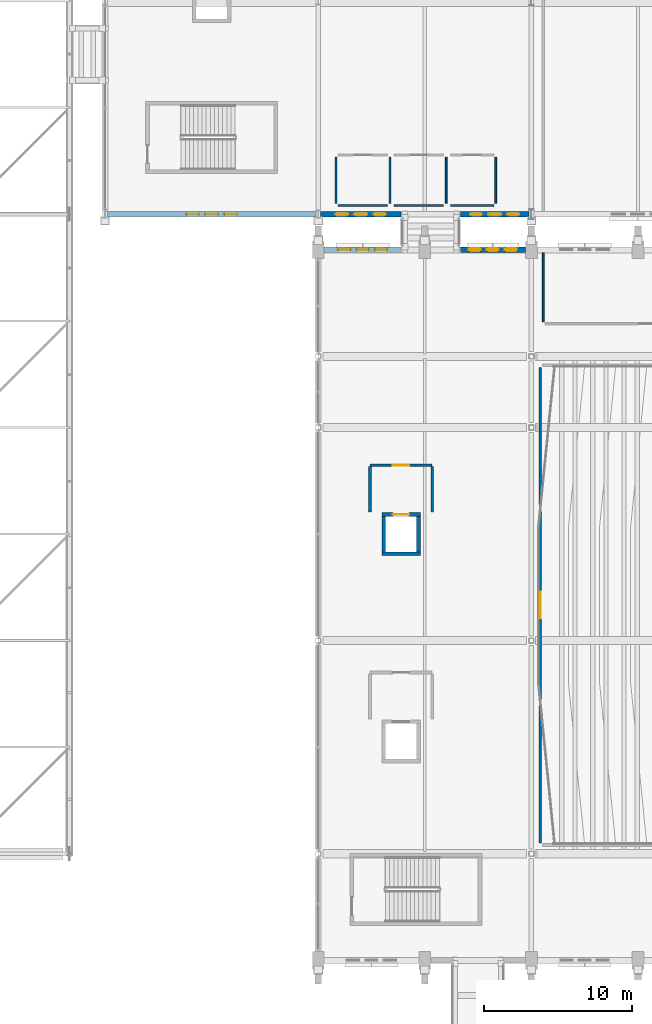
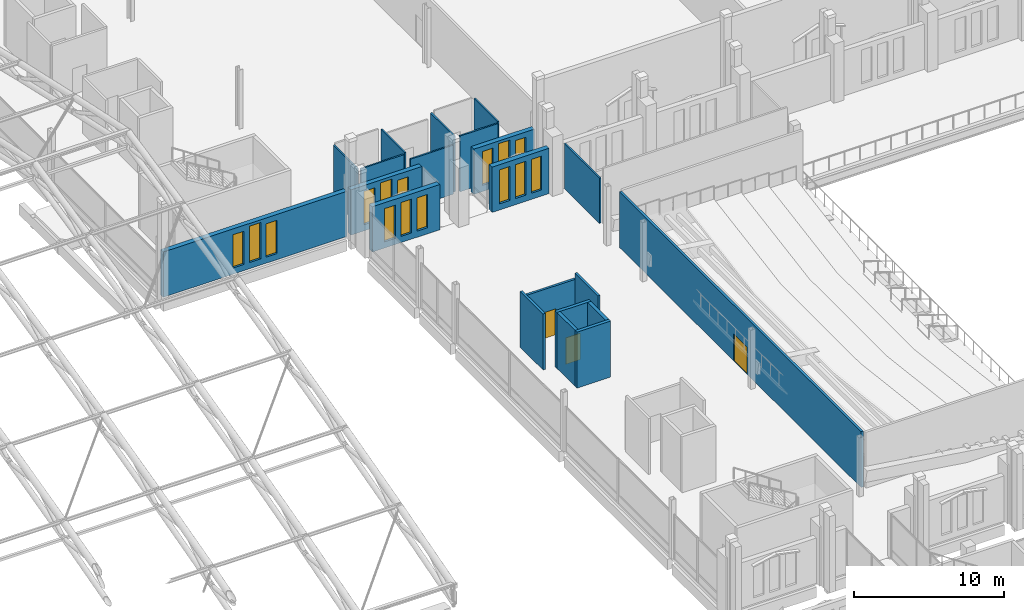
# One storey, part 147 of 193: 21 walls, 15 windows, 3 doors, 18 openings.
"""IFC4 building model written with IfcOpenShell, lengths in metres."""

from ifc_helpers import new_model, si_unit, direction, frame, frame_2d, origin, place, context, subcontext, project, spatial, rectangle, extrude, material, layer, layer_set, type_object, element, fill, save


model = new_model("IFC4")

# Units and contexts
model_context = context("Model", 3, precision=1e-05, world=origin(), true_north=direction((0.0, 1.0)))
body_context = subcontext(model_context, "Body", "Model", "MODEL_VIEW")
ifc_project = project(units=[si_unit("LENGTHUNIT", "METRE"), si_unit("AREAUNIT", "SQUARE_METRE"), si_unit("VOLUMEUNIT", "CUBIC_METRE"), si_unit("PLANEANGLEUNIT", "RADIAN"), si_unit("MASSUNIT", "GRAM", prefix="KILO")], contexts=[model_context])

# Site, building, storey
site_placement = place(None, origin())
site = spatial("IfcSite", under=ifc_project, at=site_placement, CompositionType="ELEMENT")
building_placement = place(site_placement, origin())
building = spatial("IfcBuilding", under=site, at=building_placement, Name="Cendralis Lancet Convention Centre", CompositionType="ELEMENT")
storey_placement = place(building_placement, frame((0.0, 0.0, 10.199951171875)))
storey = spatial("IfcBuildingStorey", under=building, at=storey_placement, Name="L02", CompositionType="ELEMENT", Elevation=10.199951171875)

# Wall, openings, windows
ifc_material_1 = material(Name="Buff sandstone ashlar and Concrete G40 (C40/50)", Category="masonry")
ifc_layer_1 = layer(ifc_material_1, 0.360107421875, Name="Buff sandstone ashlar and Concrete G40 (C40/50)")
ifc_layer_set_1 = layer_set([ifc_layer_1], Name="Buff sandstone ashlar and Concrete G40 (C40/50)")
wall_type_1 = type_object("IfcWallType", Name="ARC-EW-W360", PredefinedType="STANDARD", material=ifc_layer_set_1)
wall_1_placement = place(storey_placement, frame((139.0419921875, 93.60009765625, 0.0), z_axis=(0.0, 0.0, 1.0), x_axis=(-1.0, 0.0, 0.0)))
wall_1 = element("IfcWall", 1, at=wall_1_placement, inside=storey, type_object=wall_type_1, Name="L02 V3 Exterior Wall EW-04 #0162", PredefinedType="STANDARD", context=body_context, shape_type="SweptSolid", body=[
    extrude(rectangle(XDim=14.083984375, YDim=0.360107421875, at=frame_2d((7.0419921875, 0.0))), origin(), (0.0, 0.0, 1.0), 3.675048828125),
])
opening_1_placement = place(wall_1_placement, frame((5.342041015625, 0.0, 0.5)))
opening_1 = element("IfcOpeningElement", 2, at=opening_1_placement, cuts=wall_1, Name="Opening WN-15", PredefinedType="OPENING", context=body_context, shape_type="SweptSolid", body=[
    extrude(rectangle(XDim=0.840087890625, YDim=2.699951171875, at=frame_2d((0.419921875, 1.35009765625))), frame((0.0, 0.18994140625, 0.0), z_axis=(0.0, -1.0, 0.0), x_axis=(1.0, 0.0, 0.0)), (0.0, 0.0, 1.0), 0.380126953125),
])
opening_2_placement = place(wall_1_placement, frame((6.60205078125, 0.0, 0.5)))
opening_2 = element("IfcOpeningElement", 3, at=opening_2_placement, cuts=wall_1, Name="Opening WN-08", PredefinedType="OPENING", context=body_context, shape_type="SweptSolid", body=[
    extrude(rectangle(XDim=0.8798828125, YDim=2.949951171875, at=frame_2d((0.43994140625, 1.47509765625))), frame((0.0, 0.18994140625, 0.0), z_axis=(0.0, -1.0, 0.0), x_axis=(1.0, 0.0, 0.0)), (0.0, 0.0, 1.0), 0.380126953125),
])
opening_3_placement = place(wall_1_placement, frame((7.902099609375, 0.0, 0.5)))
opening_3 = element("IfcOpeningElement", 4, at=opening_3_placement, cuts=wall_1, Name="Opening WN-15", PredefinedType="OPENING", context=body_context, shape_type="SweptSolid", body=[
    extrude(rectangle(XDim=0.840087890625, YDim=2.699951171875, at=frame_2d((0.419921875, 1.35009765625))), frame((0.0, 0.18994140625, 0.0), z_axis=(0.0, -1.0, 0.0), x_axis=(1.0, 0.0, 0.0)), (0.0, 0.0, 1.0), 0.380126953125),
])
ifc_material_2 = material(Name="Double-glazed low-E solar-control glass", Category="glass")
window_type_1 = type_object("IfcWindowType", Name="ARC-WN-LW08", PartitioningType="SINGLE_PANEL", PredefinedType="WINDOW", material=ifc_material_2)
window_1_placement = place(opening_2_placement, origin())
window_1 = element("IfcWindow", 5, at=window_1_placement, inside=storey, type_object=window_type_1, Name="Gothic Lancet Window WN-08 #0321", OverallHeight=2.949951171875, OverallWidth=0.8798828125, PartitioningType="SINGLE_PANEL", PredefinedType="WINDOW", context=body_context, shape_type="SweptSolid", body=[
    extrude(rectangle(XDim=0.8798828125, YDim=2.949951171875, at=frame_2d((0.43994140625, 1.47509765625))), frame((0.0, 0.030029296875, 0.0), z_axis=(0.0, -1.0, 0.0), x_axis=(1.0, 0.0, 0.0)), (0.0, 0.0, 1.0), 0.06005859375),
])
fill(opening_2, window_1)
window_type_2 = type_object("IfcWindowType", Name="ARC-WN-LW15", PartitioningType="SINGLE_PANEL", PredefinedType="WINDOW", material=ifc_material_2)
window_2_placement = place(opening_1_placement, origin())
window_2 = element("IfcWindow", 6, at=window_2_placement, inside=storey, type_object=window_type_2, Name="Gothic Lancet Window WN-15 #0320", OverallHeight=2.699951171875, OverallWidth=0.840087890625, PartitioningType="SINGLE_PANEL", PredefinedType="WINDOW", context=body_context, shape_type="SweptSolid", body=[
    extrude(rectangle(XDim=0.840087890625, YDim=2.699951171875, at=frame_2d((0.419921875, 1.35009765625))), frame((0.0, 0.030029296875, 0.0), z_axis=(0.0, -1.0, 0.0), x_axis=(1.0, 0.0, 0.0)), (0.0, 0.0, 1.0), 0.06005859375),
])
fill(opening_1, window_2)
window_3_placement = place(opening_3_placement, origin())
window_3 = element("IfcWindow", 7, at=window_3_placement, inside=storey, type_object=window_type_2, Name="Gothic Lancet Window WN-15 #0322", OverallHeight=2.699951171875, OverallWidth=0.840087890625, PartitioningType="SINGLE_PANEL", PredefinedType="WINDOW", context=body_context, shape_type="SweptSolid", body=[
    extrude(rectangle(XDim=0.840087890625, YDim=2.699951171875, at=frame_2d((0.419921875, 1.35009765625))), frame((0.0, 0.030029296875, 0.0), z_axis=(0.0, -1.0, 0.0), x_axis=(1.0, 0.0, 0.0)), (0.0, 0.0, 1.0), 0.06005859375),
])
fill(opening_3, window_3)

wall_2_placement = place(storey_placement, frame((153.44189453125, 93.60009765625, 0.0), z_axis=(0.0, 0.0, 1.0), x_axis=(-1.0, 0.0, 0.0)))
wall_2 = element("IfcWall", 8, at=wall_2_placement, inside=storey, type_object=wall_type_1, Name="L02 V3 Exterior Wall EW-04 #0163", PredefinedType="STANDARD", context=body_context, shape_type="SweptSolid", body=[
    extrude(rectangle(XDim=4.641845703125, YDim=0.360107421875, at=frame_2d((2.32080078125, 0.0))), origin(), (0.0, 0.0, 1.0), 3.675048828125),
])
opening_4_placement = place(wall_2_placement, frame((0.660888671875, 0.0, 0.5)))
opening_4 = element("IfcOpeningElement", 9, at=opening_4_placement, cuts=wall_2, Name="Opening WN-07", PredefinedType="OPENING", context=body_context, shape_type="SweptSolid", body=[
    extrude(rectangle(XDim=0.800048828125, YDim=2.75, at=frame_2d((0.39990234375, 1.375))), frame((0.0, 0.18994140625, 0.0), z_axis=(0.0, -1.0, 0.0), x_axis=(1.0, 0.0, 0.0)), (0.0, 0.0, 1.0), 0.380126953125),
])
opening_5_placement = place(wall_2_placement, frame((1.881103515625, 0.0, 0.5)))
opening_5 = element("IfcOpeningElement", 10, at=opening_5_placement, cuts=wall_2, Name="Opening WN-08", PredefinedType="OPENING", context=body_context, shape_type="SweptSolid", body=[
    extrude(rectangle(XDim=0.8798828125, YDim=2.949951171875, at=frame_2d((0.43994140625, 1.47509765625))), frame((0.0, 0.18994140625, 0.0), z_axis=(0.0, -1.0, 0.0), x_axis=(1.0, 0.0, 0.0)), (0.0, 0.0, 1.0), 0.380126953125),
])
opening_6_placement = place(wall_2_placement, frame((3.180908203125, 0.0, 0.5)))
opening_6 = element("IfcOpeningElement", 11, at=opening_6_placement, cuts=wall_2, Name="Opening WN-07", PredefinedType="OPENING", context=body_context, shape_type="SweptSolid", body=[
    extrude(rectangle(XDim=0.800048828125, YDim=2.75, at=frame_2d((0.39990234375, 1.375))), frame((0.0, 0.18994140625, 0.0), z_axis=(0.0, -1.0, 0.0), x_axis=(1.0, 0.0, 0.0)), (0.0, 0.0, 1.0), 0.380126953125),
])
window_type_3 = type_object("IfcWindowType", Name="ARC-WN-LW07", PartitioningType="SINGLE_PANEL", PredefinedType="WINDOW", material=ifc_material_2)
window_4_placement = place(opening_4_placement, origin())
window_4 = element("IfcWindow", 12, at=window_4_placement, inside=storey, type_object=window_type_3, Name="Gothic Lancet Window WN-07 #0323", OverallHeight=2.75, OverallWidth=0.800048828125, PartitioningType="SINGLE_PANEL", PredefinedType="WINDOW", context=body_context, shape_type="SweptSolid", body=[
    extrude(rectangle(XDim=0.800048828125, YDim=2.75, at=frame_2d((0.39990234375, 1.375))), frame((0.0, 0.030029296875, 0.0), z_axis=(0.0, -1.0, 0.0), x_axis=(1.0, 0.0, 0.0)), (0.0, 0.0, 1.0), 0.06005859375),
])
fill(opening_4, window_4)
window_5_placement = place(opening_6_placement, origin())
window_5 = element("IfcWindow", 13, at=window_5_placement, inside=storey, type_object=window_type_3, Name="Gothic Lancet Window WN-07 #0325", OverallHeight=2.75, OverallWidth=0.800048828125, PartitioningType="SINGLE_PANEL", PredefinedType="WINDOW", context=body_context, shape_type="SweptSolid", body=[
    extrude(rectangle(XDim=0.800048828125, YDim=2.75, at=frame_2d((0.39990234375, 1.375))), frame((0.0, 0.030029296875, 0.0), z_axis=(0.0, -1.0, 0.0), x_axis=(1.0, 0.0, 0.0)), (0.0, 0.0, 1.0), 0.06005859375),
])
fill(opening_6, window_5)
window_6_placement = place(opening_5_placement, origin())
window_6 = element("IfcWindow", 14, at=window_6_placement, inside=storey, type_object=window_type_1, Name="Gothic Lancet Window WN-08 #0324", OverallHeight=2.949951171875, OverallWidth=0.8798828125, PartitioningType="SINGLE_PANEL", PredefinedType="WINDOW", context=body_context, shape_type="SweptSolid", body=[
    extrude(rectangle(XDim=0.8798828125, YDim=2.949951171875, at=frame_2d((0.43994140625, 1.47509765625))), frame((0.0, 0.030029296875, 0.0), z_axis=(0.0, -1.0, 0.0), x_axis=(1.0, 0.0, 0.0)), (0.0, 0.0, 1.0), 0.06005859375),
])
fill(opening_5, window_6)

wall_3_placement = place(storey_placement, frame((144.800048828125, 93.60009765625, 0.0), z_axis=(0.0, 0.0, 1.0), x_axis=(-1.0, 0.0, 0.0)))
wall_3 = element("IfcWall", 15, at=wall_3_placement, inside=storey, type_object=wall_type_1, Name="L02 V3 Exterior Wall EW-04 #0164", PredefinedType="STANDARD", context=body_context, shape_type="SweptSolid", body=[
    extrude(rectangle(XDim=5.442138671875, YDim=0.360107421875, at=frame_2d((2.72119140625, 0.0))), origin(), (0.0, 0.0, 1.0), 3.675048828125),
])
opening_7_placement = place(wall_3_placement, frame((1.02099609375, 0.0, 0.5)))
opening_7 = element("IfcOpeningElement", 16, at=opening_7_placement, cuts=wall_3, Name="Opening WN-15", PredefinedType="OPENING", context=body_context, shape_type="SweptSolid", body=[
    extrude(rectangle(XDim=0.840087890625, YDim=2.699951171875, at=frame_2d((0.419921875, 1.35009765625))), frame((0.0, 0.18994140625, 0.0), z_axis=(0.0, -1.0, 0.0), x_axis=(1.0, 0.0, 0.0)), (0.0, 0.0, 1.0), 0.380126953125),
])
opening_8_placement = place(wall_3_placement, frame((2.281005859375, 0.0, 0.5)))
opening_8 = element("IfcOpeningElement", 17, at=opening_8_placement, cuts=wall_3, Name="Opening WN-08", PredefinedType="OPENING", context=body_context, shape_type="SweptSolid", body=[
    extrude(rectangle(XDim=0.8798828125, YDim=2.949951171875, at=frame_2d((0.43994140625, 1.47509765625))), frame((0.0, 0.18994140625, 0.0), z_axis=(0.0, -1.0, 0.0), x_axis=(1.0, 0.0, 0.0)), (0.0, 0.0, 1.0), 0.380126953125),
])
opening_9_placement = place(wall_3_placement, frame((3.5810546875, 0.0, 0.5)))
opening_9 = element("IfcOpeningElement", 18, at=opening_9_placement, cuts=wall_3, Name="Opening WN-15", PredefinedType="OPENING", context=body_context, shape_type="SweptSolid", body=[
    extrude(rectangle(XDim=0.840087890625, YDim=2.699951171875, at=frame_2d((0.419921875, 1.35009765625))), frame((0.0, 0.18994140625, 0.0), z_axis=(0.0, -1.0, 0.0), x_axis=(1.0, 0.0, 0.0)), (0.0, 0.0, 1.0), 0.380126953125),
])
window_7_placement = place(opening_8_placement, origin())
window_7 = element("IfcWindow", 19, at=window_7_placement, inside=storey, type_object=window_type_1, Name="Gothic Lancet Window WN-08 #0327", OverallHeight=2.949951171875, OverallWidth=0.8798828125, PartitioningType="SINGLE_PANEL", PredefinedType="WINDOW", context=body_context, shape_type="SweptSolid", body=[
    extrude(rectangle(XDim=0.8798828125, YDim=2.949951171875, at=frame_2d((0.43994140625, 1.47509765625))), frame((0.0, 0.030029296875, 0.0), z_axis=(0.0, -1.0, 0.0), x_axis=(1.0, 0.0, 0.0)), (0.0, 0.0, 1.0), 0.06005859375),
])
fill(opening_8, window_7)
window_8_placement = place(opening_7_placement, origin())
window_8 = element("IfcWindow", 20, at=window_8_placement, inside=storey, type_object=window_type_2, Name="Gothic Lancet Window WN-15 #0326", OverallHeight=2.699951171875, OverallWidth=0.840087890625, PartitioningType="SINGLE_PANEL", PredefinedType="WINDOW", context=body_context, shape_type="SweptSolid", body=[
    extrude(rectangle(XDim=0.840087890625, YDim=2.699951171875, at=frame_2d((0.419921875, 1.35009765625))), frame((0.0, 0.030029296875, 0.0), z_axis=(0.0, -1.0, 0.0), x_axis=(1.0, 0.0, 0.0)), (0.0, 0.0, 1.0), 0.06005859375),
])
fill(opening_7, window_8)
window_9_placement = place(opening_9_placement, origin())
window_9 = element("IfcWindow", 21, at=window_9_placement, inside=storey, type_object=window_type_2, Name="Gothic Lancet Window WN-15 #0328", OverallHeight=2.699951171875, OverallWidth=0.840087890625, PartitioningType="SINGLE_PANEL", PredefinedType="WINDOW", context=body_context, shape_type="SweptSolid", body=[
    extrude(rectangle(XDim=0.840087890625, YDim=2.699951171875, at=frame_2d((0.419921875, 1.35009765625))), frame((0.0, 0.030029296875, 0.0), z_axis=(0.0, -1.0, 0.0), x_axis=(1.0, 0.0, 0.0)), (0.0, 0.0, 1.0), 0.06005859375),
])
fill(opening_9, window_9)

ifc_layer_2 = layer(ifc_material_1, 0.3798828125, Name="Buff sandstone ashlar and Concrete G40 (C40/50)")
ifc_layer_set_2 = layer_set([ifc_layer_2], Name="Buff sandstone ashlar and Concrete G40 (C40/50)")
wall_type_2 = type_object("IfcWallType", Name="ARC-EW-W380", PredefinedType="STANDARD", material=ifc_layer_set_2)
wall_4_placement = place(storey_placement, frame((139.60791015625, 91.199951171875, 0.0), z_axis=(0.0, 0.0, 1.0), x_axis=(1.0, 0.0, 0.0)))
wall_4 = element("IfcWall", 22, at=wall_4_placement, inside=storey, type_object=wall_type_2, Name="L02 V2 Exterior Wall EW-03 #0118", PredefinedType="STANDARD", context=body_context, shape_type="SweptSolid", body=[
    extrude(rectangle(XDim=5.192138671875, YDim=0.3798828125, at=frame_2d((2.59619140625, 0.0))), origin(), (0.0, 0.0, 1.0), 3.675048828125),
])
opening_10_placement = place(wall_4_placement, frame((0.93603515625, 0.0, 0.5)))
opening_10 = element("IfcOpeningElement", 23, at=opening_10_placement, cuts=wall_4, Name="Opening WN-15", PredefinedType="OPENING", context=body_context, shape_type="SweptSolid", body=[
    extrude(rectangle(XDim=0.840087890625, YDim=2.699951171875, at=frame_2d((0.419921875, 1.35009765625))), frame((0.0, 0.199951171875, 0.0), z_axis=(0.0, -1.0, 0.0), x_axis=(1.0, 0.0, 0.0)), (0.0, 0.0, 1.0), 0.39990234375),
])
opening_11_placement = place(wall_4_placement, frame((2.196044921875, 0.0, 0.5)))
opening_11 = element("IfcOpeningElement", 24, at=opening_11_placement, cuts=wall_4, Name="Opening WN-07", PredefinedType="OPENING", context=body_context, shape_type="SweptSolid", body=[
    extrude(rectangle(XDim=0.800048828125, YDim=2.75, at=frame_2d((0.39990234375, 1.375))), frame((0.0, 0.199951171875, 0.0), z_axis=(0.0, -1.0, 0.0), x_axis=(1.0, 0.0, 0.0)), (0.0, 0.0, 1.0), 0.39990234375),
])
opening_12_placement = place(wall_4_placement, frame((3.416015625, 0.0, 0.5)))
opening_12 = element("IfcOpeningElement", 25, at=opening_12_placement, cuts=wall_4, Name="Opening WN-15", PredefinedType="OPENING", context=body_context, shape_type="SweptSolid", body=[
    extrude(rectangle(XDim=0.840087890625, YDim=2.699951171875, at=frame_2d((0.419921875, 1.35009765625))), frame((0.0, 0.199951171875, 0.0), z_axis=(0.0, -1.0, 0.0), x_axis=(1.0, 0.0, 0.0)), (0.0, 0.0, 1.0), 0.39990234375),
])
window_10_placement = place(opening_11_placement, origin())
window_10 = element("IfcWindow", 26, at=window_10_placement, inside=storey, type_object=window_type_3, Name="Gothic Lancet Window WN-07 #0226", OverallHeight=2.75, OverallWidth=0.800048828125, PartitioningType="SINGLE_PANEL", PredefinedType="WINDOW", context=body_context, shape_type="SweptSolid", body=[
    extrude(rectangle(XDim=0.800048828125, YDim=2.75, at=frame_2d((0.39990234375, 1.375))), frame((0.0, 0.030029296875, 0.0), z_axis=(0.0, -1.0, 0.0), x_axis=(1.0, 0.0, 0.0)), (0.0, 0.0, 1.0), 0.06005859375),
])
fill(opening_11, window_10)
window_11_placement = place(opening_10_placement, origin())
window_11 = element("IfcWindow", 27, at=window_11_placement, inside=storey, type_object=window_type_2, Name="Gothic Lancet Window WN-15 #0225", OverallHeight=2.699951171875, OverallWidth=0.840087890625, PartitioningType="SINGLE_PANEL", PredefinedType="WINDOW", context=body_context, shape_type="SweptSolid", body=[
    extrude(rectangle(XDim=0.840087890625, YDim=2.699951171875, at=frame_2d((0.419921875, 1.35009765625))), frame((0.0, 0.030029296875, 0.0), z_axis=(0.0, -1.0, 0.0), x_axis=(1.0, 0.0, 0.0)), (0.0, 0.0, 1.0), 0.06005859375),
])
fill(opening_10, window_11)
window_12_placement = place(opening_12_placement, origin())
window_12 = element("IfcWindow", 28, at=window_12_placement, inside=storey, type_object=window_type_2, Name="Gothic Lancet Window WN-15 #0227", OverallHeight=2.699951171875, OverallWidth=0.840087890625, PartitioningType="SINGLE_PANEL", PredefinedType="WINDOW", context=body_context, shape_type="SweptSolid", body=[
    extrude(rectangle(XDim=0.840087890625, YDim=2.699951171875, at=frame_2d((0.419921875, 1.35009765625))), frame((0.0, 0.030029296875, 0.0), z_axis=(0.0, -1.0, 0.0), x_axis=(1.0, 0.0, 0.0)), (0.0, 0.0, 1.0), 0.06005859375),
])
fill(opening_12, window_12)

wall_5_placement = place(storey_placement, frame((148.800048828125, 91.199951171875, 0.0), z_axis=(0.0, 0.0, 1.0), x_axis=(1.0, 0.0, 0.0)))
wall_5 = element("IfcWall", 29, at=wall_5_placement, inside=storey, type_object=wall_type_2, Name="L02 V2 Exterior Wall EW-03 #0119", PredefinedType="STANDARD", context=body_context, shape_type="SweptSolid", body=[
    extrude(rectangle(XDim=4.391845703125, YDim=0.3798828125, at=frame_2d((2.19580078125, 0.0))), origin(), (0.0, 0.0, 1.0), 3.675048828125),
])
opening_13_placement = place(wall_5_placement, frame((0.575927734375, 0.0, 0.5)))
opening_13 = element("IfcOpeningElement", 30, at=opening_13_placement, cuts=wall_5, Name="Opening WN-07", PredefinedType="OPENING", context=body_context, shape_type="SweptSolid", body=[
    extrude(rectangle(XDim=0.800048828125, YDim=2.75, at=frame_2d((0.39990234375, 1.375))), frame((0.0, 0.199951171875, 0.0), z_axis=(0.0, -1.0, 0.0), x_axis=(1.0, 0.0, 0.0)), (0.0, 0.0, 1.0), 0.39990234375),
])
opening_14_placement = place(wall_5_placement, frame((1.7958984375, 0.0, 0.5)))
opening_14 = element("IfcOpeningElement", 31, at=opening_14_placement, cuts=wall_5, Name="Opening WN-07", PredefinedType="OPENING", context=body_context, shape_type="SweptSolid", body=[
    extrude(rectangle(XDim=0.800048828125, YDim=2.75, at=frame_2d((0.39990234375, 1.375))), frame((0.0, 0.199951171875, 0.0), z_axis=(0.0, -1.0, 0.0), x_axis=(1.0, 0.0, 0.0)), (0.0, 0.0, 1.0), 0.39990234375),
])
opening_15_placement = place(wall_5_placement, frame((3.01611328125, 0.0, 0.5)))
opening_15 = element("IfcOpeningElement", 32, at=opening_15_placement, cuts=wall_5, Name="Opening WN-07", PredefinedType="OPENING", context=body_context, shape_type="SweptSolid", body=[
    extrude(rectangle(XDim=0.800048828125, YDim=2.75, at=frame_2d((0.39990234375, 1.375))), frame((0.0, 0.199951171875, 0.0), z_axis=(0.0, -1.0, 0.0), x_axis=(1.0, 0.0, 0.0)), (0.0, 0.0, 1.0), 0.39990234375),
])
window_13_placement = place(opening_13_placement, origin())
window_13 = element("IfcWindow", 33, at=window_13_placement, inside=storey, type_object=window_type_3, Name="Gothic Lancet Window WN-07 #0228", OverallHeight=2.75, OverallWidth=0.800048828125, PartitioningType="SINGLE_PANEL", PredefinedType="WINDOW", context=body_context, shape_type="SweptSolid", body=[
    extrude(rectangle(XDim=0.800048828125, YDim=2.75, at=frame_2d((0.39990234375, 1.375))), frame((0.0, 0.030029296875, 0.0), z_axis=(0.0, -1.0, 0.0), x_axis=(1.0, 0.0, 0.0)), (0.0, 0.0, 1.0), 0.06005859375),
])
fill(opening_13, window_13)
window_14_placement = place(opening_14_placement, origin())
window_14 = element("IfcWindow", 34, at=window_14_placement, inside=storey, type_object=window_type_3, Name="Gothic Lancet Window WN-07 #0229", OverallHeight=2.75, OverallWidth=0.800048828125, PartitioningType="SINGLE_PANEL", PredefinedType="WINDOW", context=body_context, shape_type="SweptSolid", body=[
    extrude(rectangle(XDim=0.800048828125, YDim=2.75, at=frame_2d((0.39990234375, 1.375))), frame((0.0, 0.030029296875, 0.0), z_axis=(0.0, -1.0, 0.0), x_axis=(1.0, 0.0, 0.0)), (0.0, 0.0, 1.0), 0.06005859375),
])
fill(opening_14, window_14)
window_15_placement = place(opening_15_placement, origin())
window_15 = element("IfcWindow", 35, at=window_15_placement, inside=storey, type_object=window_type_3, Name="Gothic Lancet Window WN-07 #0230", OverallHeight=2.75, OverallWidth=0.800048828125, PartitioningType="SINGLE_PANEL", PredefinedType="WINDOW", context=body_context, shape_type="SweptSolid", body=[
    extrude(rectangle(XDim=0.800048828125, YDim=2.75, at=frame_2d((0.39990234375, 1.375))), frame((0.0, 0.030029296875, 0.0), z_axis=(0.0, -1.0, 0.0), x_axis=(1.0, 0.0, 0.0)), (0.0, 0.0, 1.0), 0.06005859375),
])
fill(opening_15, window_15)

# Walls
ifc_material_3 = material(Name="Acoustic fire-rated gypsum board on steel studs", Category="steel")
ifc_layer_3 = layer(ifc_material_3, 0.1201171875, Name="Acoustic fire-rated gypsum board on steel studs")
ifc_layer_set_3 = layer_set([ifc_layer_3], Name="Acoustic fire-rated gypsum board on steel studs")
wall_type_3 = type_object("IfcWallType", Name="ARC-IW-P120", PredefinedType="PARTITIONING", material=ifc_layer_set_3)
wall_6_placement = place(storey_placement, frame((154.39990234375, 86.340087890625, 0.0), z_axis=(0.0, 0.0, 1.0), x_axis=(0.0, 1.0, 0.0)))
element("IfcWall", 36, at=wall_6_placement, inside=storey, type_object=wall_type_3, Name="L02 Interior Partition IW-05 #0104", PredefinedType="PARTITIONING", context=body_context, shape_type="SweptSolid", body=[
    extrude(rectangle(XDim=4.659912109375, YDim=0.1201171875, at=frame_2d((2.330078125, 0.0))), origin(), (0.0, 0.0, 1.0), 3.675048828125),
])
wall_7_placement = place(storey_placement, frame((140.550048828125, 94.199951171875, 0.0), z_axis=(0.0, 0.0, 1.0), x_axis=(1.0, 0.0, 0.0)))
element("IfcWall", 37, at=wall_7_placement, inside=storey, type_object=wall_type_3, Name="L02 Interior Partition IW-05 #0184", PredefinedType="PARTITIONING", context=body_context, shape_type="SweptSolid", body=[
    extrude(rectangle(XDim=3.300048828125, YDim=0.1201171875, at=frame_2d((1.64990234375, 0.0))), origin(), (0.0, 0.0, 1.0), 4.525146484375),
])
for number, where, z_axis, x_axis, name in (
    (38, (140.39990234375, 94.340087890625, 0.0), (0.0, 0.0, 1.0), (0.0, 1.0, 0.0), "L02 Interior Partition IW-05 #0185"),
    (39, (144.050048828125, 94.340087890625, 0.0), (0.0, 0.0, 1.0), (0.0, 1.0, 0.0), "L02 Interior Partition IW-05 #0186"),
):
    element("IfcWall", number, at=place(storey_placement, frame(where, z_axis=z_axis, x_axis=x_axis)), inside=storey, type_object=wall_type_3, Name=name, PredefinedType="PARTITIONING", context=body_context, shape_type="SweptSolid", body=[
        extrude(rectangle(XDim=3.119873046875, YDim=0.1201171875, at=frame_2d((1.56005859375, 0.0))), origin(), (0.0, 0.0, 1.0), 4.525146484375),
    ])
wall_8_placement = place(storey_placement, frame((144.35009765625, 94.199951171875, 0.0), z_axis=(0.0, 0.0, 1.0), x_axis=(1.0, 0.0, 0.0)))
element("IfcWall", 40, at=wall_8_placement, inside=storey, type_object=wall_type_3, Name="L02 Interior Partition IW-05 #0188", PredefinedType="PARTITIONING", context=body_context, shape_type="SweptSolid", body=[
    extrude(rectangle(XDim=3.2998046875, YDim=0.1201171875, at=frame_2d((1.64990234375, 0.0))), origin(), (0.0, 0.0, 1.0), 3.97509765625),
])
wall_9_placement = place(storey_placement, frame((147.85009765625, 94.340087890625, 0.0), z_axis=(0.0, 0.0, 1.0), x_axis=(0.0, 1.0, 0.0)))
element("IfcWall", 41, at=wall_9_placement, inside=storey, type_object=wall_type_3, Name="L02 Interior Partition IW-05 #0189", PredefinedType="PARTITIONING", context=body_context, shape_type="SweptSolid", body=[
    extrude(rectangle(XDim=3.119873046875, YDim=0.1201171875, at=frame_2d((1.56005859375, 0.0))), origin(), (0.0, 0.0, 1.0), 4.525146484375),
])
wall_10_placement = place(storey_placement, frame((148.14990234375, 94.199951171875, 0.0), z_axis=(0.0, 0.0, 1.0), x_axis=(1.0, 0.0, 0.0)))
element("IfcWall", 42, at=wall_10_placement, inside=storey, type_object=wall_type_3, Name="L02 Interior Partition IW-05 #0191", PredefinedType="PARTITIONING", context=body_context, shape_type="SweptSolid", body=[
    extrude(rectangle(XDim=2.900146484375, YDim=0.1201171875, at=frame_2d((1.4501953125, 0.0))), origin(), (0.0, 0.0, 1.0), 4.525146484375),
])
wall_11_placement = place(storey_placement, frame((151.199951171875, 94.340087890625, 0.0), z_axis=(0.0, 0.0, 1.0), x_axis=(0.0, 1.0, 0.0)))
element("IfcWall", 43, at=wall_11_placement, inside=storey, type_object=wall_type_3, Name="L02 Interior Partition IW-05 #0192", PredefinedType="PARTITIONING", context=body_context, shape_type="SweptSolid", body=[
    extrude(rectangle(XDim=3.119873046875, YDim=0.1201171875, at=frame_2d((1.56005859375, 0.0))), origin(), (0.0, 0.0, 1.0), 4.525146484375),
])

# Wall, opening, door
ifc_layer_4 = layer(ifc_material_3, 0.179931640625, Name="Acoustic fire-rated gypsum board on steel studs")
ifc_layer_set_4 = layer_set([ifc_layer_4], Name="Acoustic fire-rated gypsum board on steel studs")
wall_type_4 = type_object("IfcWallType", Name="ARC-IW-P180", PredefinedType="PARTITIONING", material=ifc_layer_set_4)
wall_12_placement = place(storey_placement, frame((142.699951171875, 76.64990234375, 0.0), z_axis=(0.0, 0.0, 1.0), x_axis=(1.0, 0.0, 0.0)))
wall_12 = element("IfcWall", 44, at=wall_12_placement, inside=storey, type_object=wall_type_4, Name="L02 Lift Lobby LP-06 Front Wall", PredefinedType="PARTITIONING", context=body_context, shape_type="SweptSolid", body=[
    extrude(rectangle(XDim=4.199951171875, YDim=0.179931640625, at=frame_2d((2.10009765625, 0.0))), origin(), (0.0, 0.0, 1.0), 4.025146484375),
])
opening_16_placement = place(wall_12_placement, frame((1.550048828125, 0.0, 0.0)))
opening_16 = element("IfcOpeningElement", 45, at=opening_16_placement, cuts=wall_12, Name="Opening FD-11", PredefinedType="OPENING", context=body_context, shape_type="SweptSolid", body=[
    extrude(rectangle(XDim=1.10009765625, YDim=2.14990234375, at=frame_2d((0.550048828125, 1.074951171875))), frame((0.0, 0.099853515625, 0.0), z_axis=(0.0, -1.0, 0.0), x_axis=(1.0, 0.0, 0.0)), (0.0, 0.0, 1.0), 0.199951171875),
])
ifc_material_4 = material(Name="Steel S355", Category="steel")
door_type_1 = type_object("IfcDoorType", Name="ARC-DR-FF11", OperationType="NOTDEFINED", PredefinedType="DOOR", material=ifc_material_4)
door_1_placement = place(opening_16_placement, origin())
door_1 = element("IfcDoor", 46, at=door_1_placement, inside=storey, type_object=door_type_1, Name="L02-D050 L02 Lift Lobby LP-06 Fire Door", OperationType="SINGLE_SWING_RIGHT", OverallHeight=2.14990234375, OverallWidth=1.10009765625, PredefinedType="DOOR", context=body_context, shape_type="SweptSolid", body=[
    extrude(rectangle(XDim=1.10009765625, YDim=2.14990234375, at=frame_2d((0.550048828125, 1.074951171875))), frame((0.0, 0.02490234375, 0.0), z_axis=(0.0, -1.0, 0.0), x_axis=(1.0, 0.0, 0.0)), (0.0, 0.0, 1.0), 0.050048828125),
])
fill(opening_16, door_1)

# Walls
for number, where, z_axis, x_axis, name in (
    (47, (142.699951171875, 73.5, 0.0), (0.0, 0.0, 1.0), (0.0, 1.0, 0.0), "L02 Lift Lobby LP-06 West Wall"),
    (48, (146.89990234375, 73.5, 0.0), (0.0, 0.0, 1.0), (0.0, 1.0, 0.0), "L02 Lift Lobby LP-06 East Wall"),
):
    element("IfcWall", number, at=place(storey_placement, frame(where, z_axis=z_axis, x_axis=x_axis)), inside=storey, type_object=wall_type_4, Name=name, PredefinedType="PARTITIONING", context=body_context, shape_type="SweptSolid", body=[
        extrude(rectangle(XDim=3.050048828125, YDim=0.179931640625, at=frame_2d((1.52490234375, 0.0))), origin(), (0.0, 0.0, 1.0), 4.5400390625),
    ])

# Wall, opening, door
wall_13_placement = place(storey_placement, frame((154.199951171875, 51.139892578125, 0.0), z_axis=(0.0, 0.0, 1.0), x_axis=(0.0, 1.0, 0.0)))
wall_13 = element("IfcWall", 49, at=wall_13_placement, inside=storey, type_object=wall_type_4, Name="L02 Interior Partition IW-02 #0100", PredefinedType="PARTITIONING", context=body_context, shape_type="SweptSolid", body=[
    extrude(rectangle(XDim=32.1201171875, YDim=0.179931640625, at=frame_2d((16.06005859375, 0.0))), origin(), (0.0, 0.0, 1.0), 4.525146484375),
])
opening_17_placement = place(wall_13_placement, frame((15.159912109375, 0.0, 0.0)))
opening_17 = element("IfcOpeningElement", 50, at=opening_17_placement, cuts=wall_13, Name="Opening ID-18", PredefinedType="OPENING", context=body_context, shape_type="SweptSolid", body=[
    extrude(rectangle(XDim=1.800048828125, YDim=2.199951171875, at=frame_2d((0.89990234375, 1.10009765625))), frame((0.0, 0.099853515625, 0.0), z_axis=(0.0, -1.0, 0.0), x_axis=(1.0, 0.0, 0.0)), (0.0, 0.0, 1.0), 0.199951171875),
])
ifc_material_5 = material(Name="Acoustic Chilean lenga timber and steel fire leaf", Category="steel")
door_type_2 = type_object("IfcDoorType", Name="ARC-DR-DB18", OperationType="NOTDEFINED", PredefinedType="DOOR", material=ifc_material_5)
door_2_placement = place(opening_17_placement, frame((1.800048828125, 0.0, 0.0), z_axis=(0.0, 0.0, 1.0), x_axis=(-1.0, 0.0, 0.0)))
door_2 = element("IfcDoor", 51, at=door_2_placement, inside=storey, type_object=door_type_2, Name="L02-D001 L02 Interior Door ID-18 #0033", OperationType="DOUBLE_DOOR_SINGLE_SWING", OverallHeight=2.199951171875, OverallWidth=1.800048828125, PredefinedType="DOOR", context=body_context, shape_type="SweptSolid", body=[
    extrude(rectangle(XDim=1.800048828125, YDim=2.199951171875, at=frame_2d((0.89990234375, 1.10009765625))), frame((0.0, 0.02490234375, 0.0), z_axis=(0.0, -1.0, 0.0), x_axis=(1.0, 0.0, 0.0)), (0.0, 0.0, 1.0), 0.050048828125),
])
fill(opening_17, door_2)

# Wall
ifc_material_6 = material(Name="Concrete G40 (C40/50)", Category="concrete")
ifc_layer_5 = layer(ifc_material_6, 0.25, Name="Concrete G40 (C40/50)")
ifc_layer_set_5 = layer_set([ifc_layer_5], Name="Concrete G40 (C40/50)")
wall_type_5 = type_object("IfcWallType", Name="STR-SW-CW250", PredefinedType="SHEAR", material=ifc_layer_set_5)
wall_14_placement = place(storey_placement, frame((143.5, 70.675048828125, 0.0), z_axis=(0.0, 0.0, 1.0), x_axis=(1.0, 0.0, 0.0)))
element("IfcWall", 52, at=wall_14_placement, inside=storey, type_object=wall_type_5, Name="L02 Lift LP-06 South Shaft Wall", PredefinedType="SHEAR", context=body_context, shape_type="SweptSolid", body=[
    extrude(rectangle(XDim=2.60009765625, YDim=0.25, at=frame_2d((1.300048828125, 0.0))), origin(), (0.0, 0.0, 1.0), 4.5400390625),
])

# Wall, opening, door
wall_15_placement = place(storey_placement, frame((143.5, 73.324951171875, 0.0), z_axis=(0.0, 0.0, 1.0), x_axis=(1.0, 0.0, 0.0)))
wall_15 = element("IfcWall", 53, at=wall_15_placement, inside=storey, type_object=wall_type_5, Name="L02 Lift LP-06 North Shaft Wall", PredefinedType="SHEAR", context=body_context, shape_type="SweptSolid", body=[
    extrude(rectangle(XDim=2.60009765625, YDim=0.25, at=frame_2d((1.300048828125, 0.0))), origin(), (0.0, 0.0, 1.0), 4.5400390625),
])
opening_18_placement = place(wall_15_placement, frame((0.75, 0.0, 0.0)))
opening_18 = element("IfcOpeningElement", 54, at=opening_18_placement, cuts=wall_15, Name="Opening LD-11", PredefinedType="OPENING", context=body_context, shape_type="SweptSolid", body=[
    extrude(rectangle(XDim=1.10009765625, YDim=2.14990234375, at=frame_2d((0.550048828125, 1.074951171875))), frame((0.0, 0.135009765625, 0.0), z_axis=(0.0, -1.0, 0.0), x_axis=(1.0, 0.0, 0.0)), (0.0, 0.0, 1.0), 0.27001953125),
])
ifc_material_7 = material(Name="Anodised bronze architectural aluminium", Category="aluminium")
door_type_3 = type_object("IfcDoorType", Name="ARC-DR-LD11", OperationType="NOTDEFINED", PredefinedType="DOOR", material=ifc_material_7)
door_3_placement = place(opening_18_placement, origin())
door_3 = element("IfcDoor", 55, at=door_3_placement, inside=storey, type_object=door_type_3, Name="L02-D038 L02 Lift LP-06 Sliding Landing Door", OperationType="SLIDING_TO_LEFT", OverallHeight=2.14990234375, OverallWidth=1.10009765625, PredefinedType="DOOR", context=body_context, shape_type="SweptSolid", body=[
    extrude(rectangle(XDim=1.10009765625, YDim=2.14990234375, at=frame_2d((0.550048828125, 1.074951171875))), frame((0.0, 0.02490234375, 0.0), z_axis=(0.0, -1.0, 0.0), x_axis=(1.0, 0.0, 0.0)), (0.0, 0.0, 1.0), 0.050048828125),
])
fill(opening_18, door_3)

# Walls
for number, where, z_axis, x_axis, name in (
    (56, (143.625, 70.800048828125, 0.0), (0.0, 0.0, 1.0), (0.0, 1.0, 0.0), "L02 Lift LP-06 West Shaft Wall"),
    (57, (145.97509765625, 70.800048828125, 0.0), (0.0, 0.0, 1.0), (0.0, 1.0, 0.0), "L02 Lift LP-06 East Shaft Wall"),
):
    element("IfcWall", number, at=place(storey_placement, frame(where, z_axis=z_axis, x_axis=x_axis)), inside=storey, type_object=wall_type_5, Name=name, PredefinedType="SHEAR", context=body_context, shape_type="SweptSolid", body=[
        extrude(rectangle(XDim=2.39990234375, YDim=0.25, at=frame_2d((1.199951171875, 0.0))), origin(), (0.0, 0.0, 1.0), 4.5400390625),
    ])

save(model, "model.ifc")
